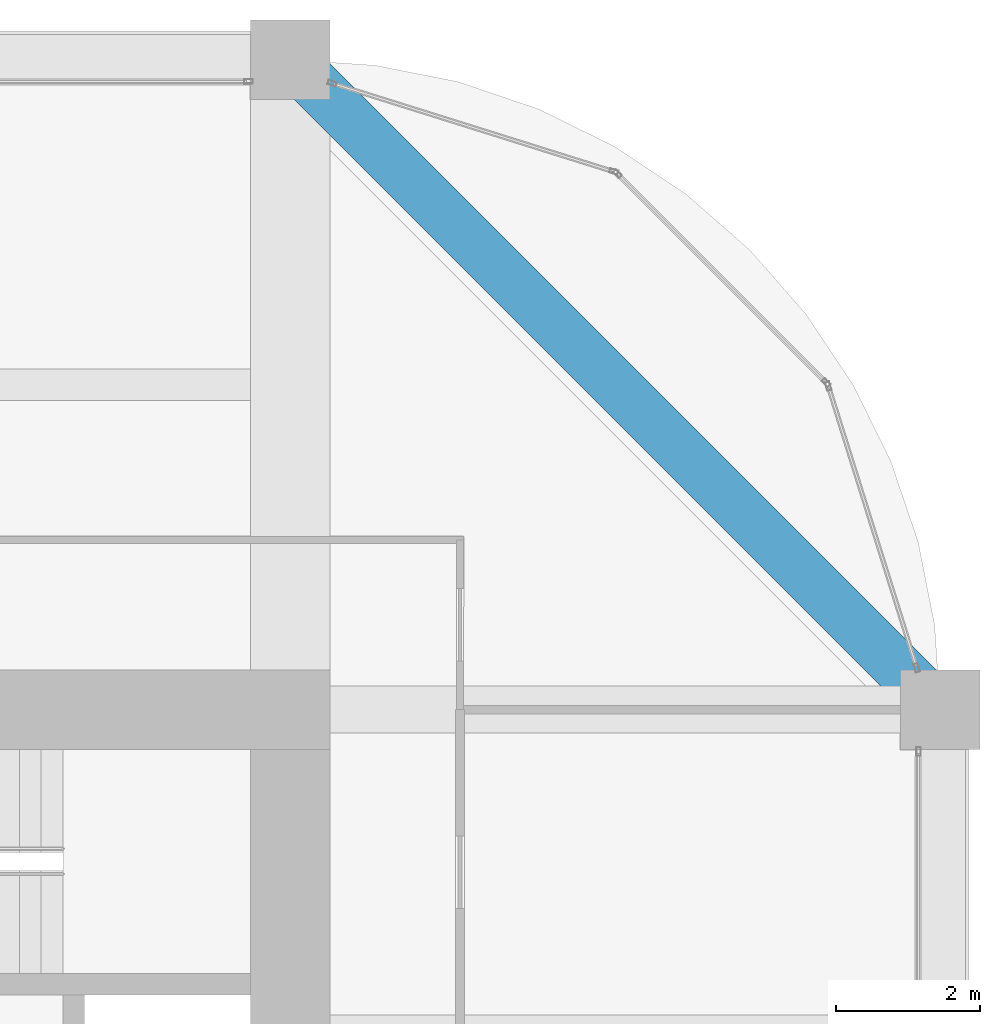
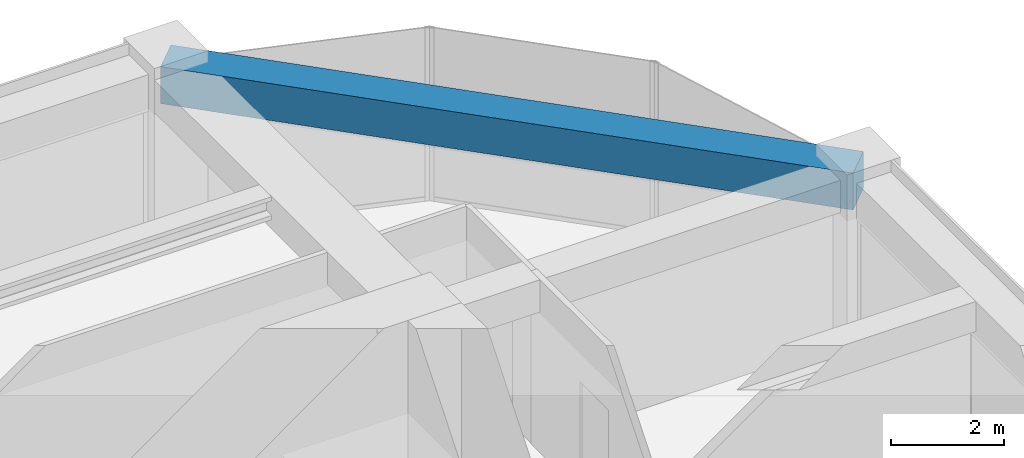
# One storey, part 38 of 44: 1 beam.
"""IFC4 building model written with IfcOpenShell, lengths in metres."""

from ifc_helpers import new_model, si_unit, direction, frame, origin, origin_2d, place, context, subcontext, project, spatial, rectangle, extrude, material, material_profile, profile_set, type_object, element, save


model = new_model("IFC4")

# Units and contexts
model_context = context("Model", 3, precision=1e-05, world=origin(), true_north=direction((0.0, 1.0)))
body_context = subcontext(model_context, "Body", "Model", "MODEL_VIEW")
ifc_project = project(units=[si_unit("LENGTHUNIT", "METRE"), si_unit("AREAUNIT", "SQUARE_METRE"), si_unit("VOLUMEUNIT", "CUBIC_METRE"), si_unit("PLANEANGLEUNIT", "RADIAN"), si_unit("MASSUNIT", "GRAM", prefix="KILO")], contexts=[model_context])

# Site, building, storey
site_placement = place(None, origin())
site = spatial("IfcSite", under=ifc_project, at=site_placement, CompositionType="ELEMENT")
building_placement = place(site_placement, origin())
building = spatial("IfcBuilding", under=site, at=building_placement, Name="Zorevar Civic Tower", CompositionType="ELEMENT")
storey_placement = place(building_placement, frame((0.0, 0.0, 259.39990234375)))
storey = spatial("IfcBuildingStorey", under=building, at=storey_placement, Name="L63", CompositionType="ELEMENT", Elevation=259.39990234375)

# Beam
ifc_material = material(Name="Concrete C50/60", Category="concrete")
ifc_material_profile = material_profile(ifc_material, rectangle(XDim=0.699951171875, YDim=0.800048828125, at=origin_2d()), Name="RC 700x800")
ifc_profile_set = profile_set([ifc_material_profile], Name="Concrete C50/60")
beam_type = type_object("IfcBeamType", Name="Edge beam RC 700x800", PredefinedType="SPANDREL", material=ifc_profile_set)
beam_placement = place(storey_placement, frame((54.0, 36.0, 3.35009765625), z_axis=(-0.707106781187, 0.707106781187, 0.0), x_axis=(-0.707106781187, -0.707106781187, 0.0)))
element("IfcBeam", 1, at=beam_placement, inside=storey, type_object=beam_type, Name="Corner edge beam L64", PredefinedType="SPANDREL", context=body_context, shape_type="SweptSolid", body=[
    extrude(rectangle(XDim=0.699951171875, YDim=0.800048828125, at=origin_2d()), origin(), (0.0, 0.0, 1.0), 12.72802734375),
])

save(model, "model.ifc")
